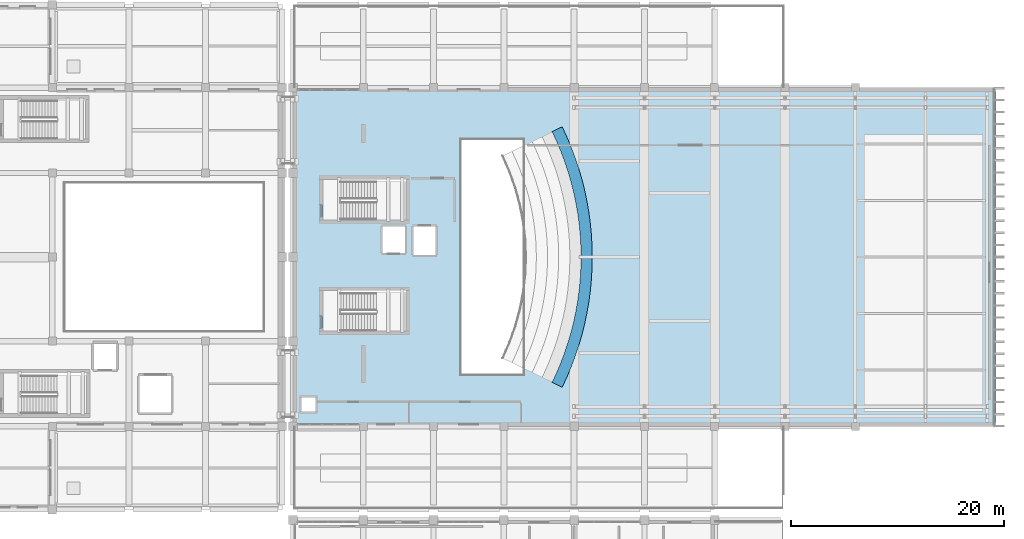
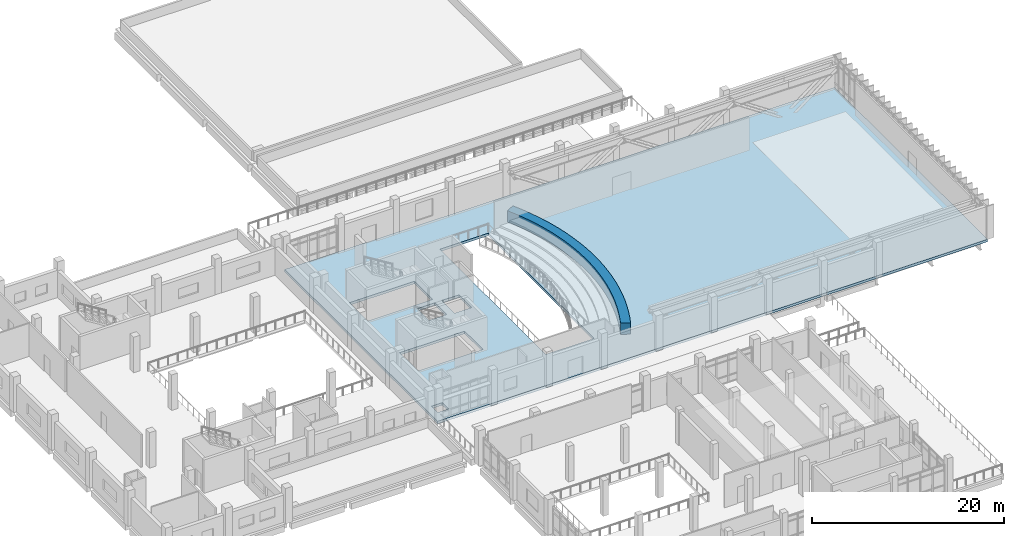
# One storey, part 29 of 54: 2 slabs.
"""IFC4 building model written with IfcOpenShell, lengths in metres."""

from ifc_helpers import new_model, si_unit, direction, frame, origin, place, context, subcontext, project, spatial, polyline, outline, extrude, material, layer, layer_set, type_object, element, save


model = new_model("IFC4")

# Units and contexts
model_context = context("Model", 3, precision=1e-05, world=origin(), true_north=direction((0.0, 1.0)))
body_context = subcontext(model_context, "Body", "Model", "MODEL_VIEW")
ifc_project = project(units=[si_unit("LENGTHUNIT", "METRE"), si_unit("AREAUNIT", "SQUARE_METRE"), si_unit("VOLUMEUNIT", "CUBIC_METRE"), si_unit("PLANEANGLEUNIT", "RADIAN"), si_unit("MASSUNIT", "GRAM", prefix="KILO")], contexts=[model_context])

# Site, building, storey
site_placement = place(None, origin())
site = spatial("IfcSite", under=ifc_project, at=site_placement, CompositionType="ELEMENT")
building_placement = place(site_placement, origin())
building = spatial("IfcBuilding", under=site, at=building_placement, Name="Kelarvand Opera House", CompositionType="ELEMENT")
storey_placement = place(building_placement, frame((0.0, 0.0, 15.0)))
storey = spatial("IfcBuildingStorey", under=building, at=storey_placement, Name="L03", CompositionType="ELEMENT", Elevation=15.0)

# Slabs
ifc_material_1 = material(Name="Concrete C40/50", Category="concrete")
ifc_layer_1 = layer(ifc_material_1, 0.320068359375, Name="Concrete C40/50", Category="concrete")
ifc_layer_set_1 = layer_set([ifc_layer_1], Name="Concrete C40/50")
slab_type_1 = type_object("IfcSlabType", Name="Long-Span Hall Floor Slab 320", PredefinedType="FLOOR", material=ifc_layer_set_1)
slab_1_placement = place(storey_placement, frame((0.0, 0.0, -0.320068359375)))
element("IfcSlab", 1, at=slab_1_placement, inside=storey, type_object=slab_type_1, Name="V1 L03 Structural Slab 6", PredefinedType="FLOOR", context=body_context, shape_type="SweptSolid", body=[
    extrude(outline(polyline([(155.0, 46.60009765625), (155.0, 78.39990234375), (89.0, 78.39990234375), (89.0, 46.60009765625), (155.0, 46.60009765625)]), holes=[polyline([(89.800048828125, 49.300048828125), (91.10009765625, 49.300048828125), (91.10009765625, 48.0), (89.800048828125, 48.0), (89.800048828125, 49.300048828125)]), polyline([(99.60009765625, 59.35009765625), (99.60009765625, 55.550048828125), (91.800048828125, 55.550048828125), (91.800048828125, 59.35009765625), (99.60009765625, 59.35009765625)]), polyline([(110.60009765625, 73.5), (110.60009765625, 51.5), (104.800048828125, 51.5), (104.800048828125, 73.5), (110.60009765625, 73.5)]), polyline([(100.300048828125, 65.35009765625), (102.39990234375, 65.35009765625), (102.39990234375, 62.699951171875), (100.300048828125, 62.699951171875), (100.300048828125, 65.35009765625)]), polyline([(99.5, 65.35009765625), (99.5, 62.89990234375), (97.39990234375, 62.89990234375), (97.39990234375, 65.35009765625), (99.5, 65.35009765625)]), polyline([(99.60009765625, 69.800048828125), (99.60009765625, 66.0), (91.800048828125, 66.0), (91.800048828125, 69.800048828125), (99.60009765625, 69.800048828125)])]), origin(), (0.0, 0.0, 1.0), 0.320068359375),
])
ifc_material_2 = material(Name="Precast concrete C40/50", Category="concrete")
ifc_layer_2 = layer(ifc_material_2, 0.199951171875, Name="Precast concrete C40/50", Category="concrete")
ifc_layer_set_2 = layer_set([ifc_layer_2], Name="Precast concrete C40/50")
slab_type_2 = type_object("IfcSlabType", Name="Precast Stepped Seating Tier 200", PredefinedType="USERDEFINED", material=ifc_layer_set_2)
slab_2_placement = place(storey_placement, origin())
element("IfcSlab", 2, at=slab_2_placement, inside=storey, type_object=slab_type_2, Name="Auditorium Horseshoe Tier 2 Step 6", ObjectType="SEATING TIER", PredefinedType="USERDEFINED", context=body_context, shape_type="SweptSolid", body=[
    extrude(outline(polyline([(113.33251953125, 50.729736328125), (113.760498046875, 51.650390625), (114.153076171875, 52.5869140625), (114.510009765625, 53.537353515625), (114.830810546875, 54.50048828125), (115.11474609375, 55.475341796875), (115.36181640625, 56.460205078125), (115.571533203125, 57.45361328125), (115.743408203125, 58.4541015625), (115.87744140625, 59.46044921875), (115.97314453125, 60.47119140625), (116.03076171875, 61.48486328125), (116.050048828125, 62.5), (116.03076171875, 63.51513671875), (115.97314453125, 64.52880859375), (115.87744140625, 65.53955078125), (115.743408203125, 66.5458984375), (115.571533203125, 67.54638671875), (115.36181640625, 68.539794921875), (115.11474609375, 69.524658203125), (114.830810546875, 70.49951171875), (114.510009765625, 71.462646484375), (114.153076171875, 72.4130859375), (113.760498046875, 73.349609375), (113.33251953125, 74.270263671875), (114.2763671875, 74.730712890625), (114.720703125, 73.773681640625), (115.12890625, 72.80078125), (115.499755859375, 71.813232421875), (115.8330078125, 70.812255859375), (116.128173828125, 69.79931640625), (116.385009765625, 68.776123046875), (116.602783203125, 67.743896484375), (116.781494140625, 66.7041015625), (116.920654296875, 65.658447265625), (117.020263671875, 64.608154296875), (117.080078125, 63.5546875), (117.10009765625, 62.5), (117.080078125, 61.4453125), (117.020263671875, 60.391845703125), (116.920654296875, 59.341552734375), (116.781494140625, 58.2958984375), (116.602783203125, 57.256103515625), (116.385009765625, 56.223876953125), (116.128173828125, 55.20068359375), (115.8330078125, 54.187744140625), (115.499755859375, 53.186767578125), (115.12890625, 52.19921875), (114.720703125, 51.226318359375), (114.2763671875, 50.269287109375), (113.33251953125, 50.729736328125)])), origin(), (0.0, 0.0, 1.0), 1.43994140625),
])

save(model, "model.ifc")
